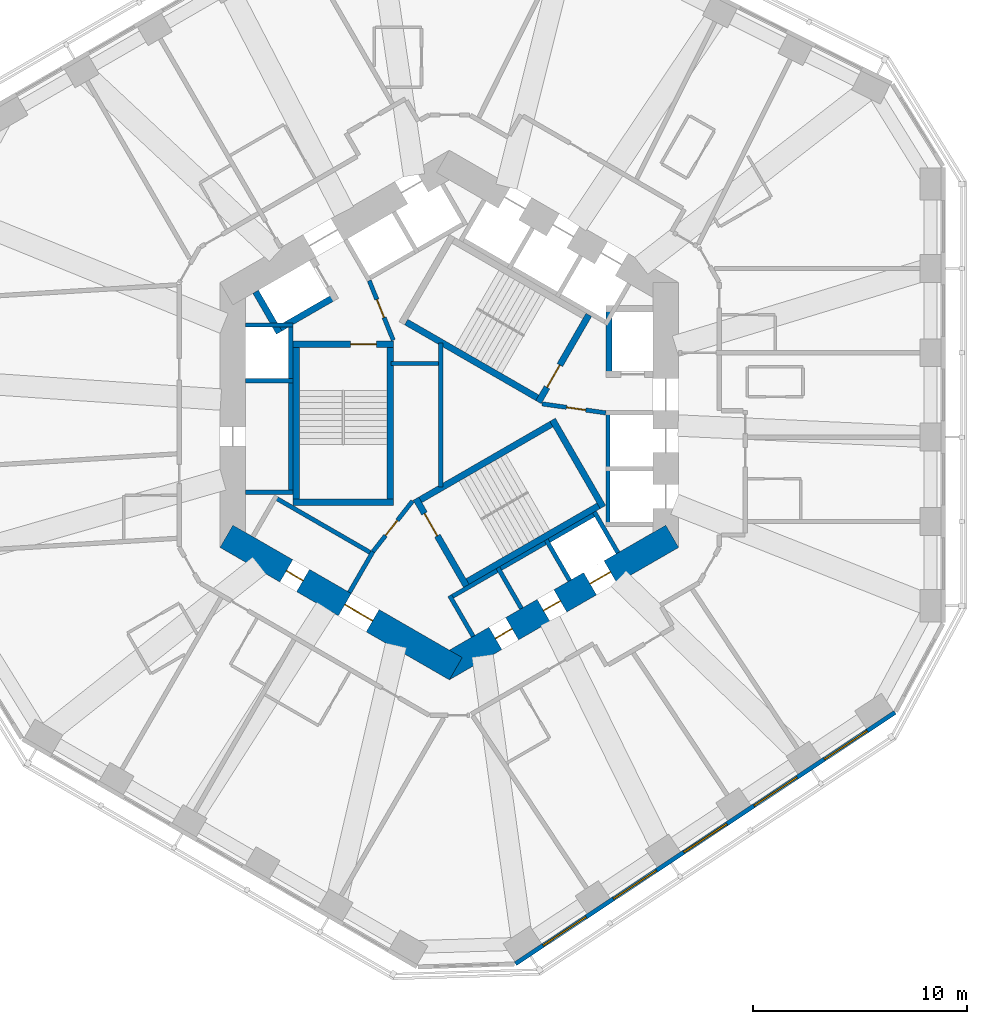
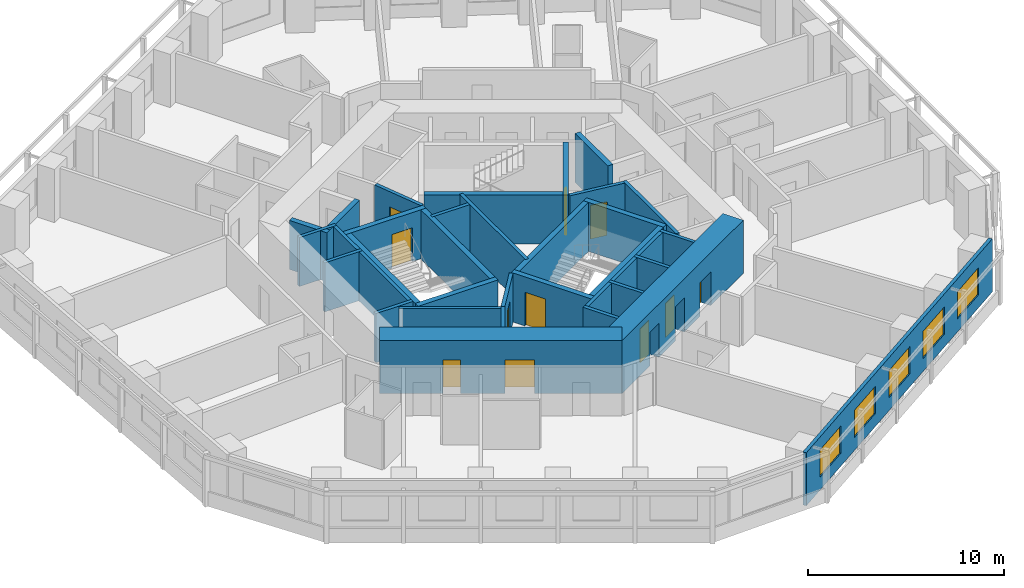
# One storey, part 5 of 12: 33 walls, 11 doors, 5 windows, 16 openings.
"""IFC4 building model written with IfcOpenShell, lengths in metres."""

import ifcopenshell
import ifcopenshell.guid

model = None  # the IFC model being written
_history = None  # IfcOwnerHistory: only IFC2X3 demands one
_inside = {}  # id of a spatial element -> (the spatial element, [elements in it])
_under = {}  # id of a project, library or spatial element -> (it, [spatial elements below it])
_declared = {}  # id of a project -> (the project, [libraries it declares])
_typed = {}  # id of a type object -> (the type object, [elements of that type])
_made_of = {}  # id of a material, layer set ... -> (it, [elements and type objects made of it])


def new_model(schema):
    """Start an empty IFC model of exactly this schema.

    Asked for "IFC4X3", IfcOpenShell would pick the latest addendum, in which some entities
    have other attributes; the version numbers below select the first issue.
    IFC2X3 requires an IfcOwnerHistory on every rooted entity: one is made here for all.
    """
    global model, _history
    if schema == "IFC4X3":
        model = ifcopenshell.file(schema_version=(4, 3, 0, 0))
    else:
        model = ifcopenshell.file(schema=schema)
    _inside.clear()
    _under.clear()
    _declared.clear()
    _typed.clear()
    _made_of.clear()
    _history = None
    if model.schema == "IFC2X3":
        org = make("IfcOrganization", Name="unknown")
        user = make(
            "IfcPersonAndOrganization",
            ThePerson=make("IfcPerson", FamilyName="unknown"),
            TheOrganization=org,
        )
        app = make(
            "IfcApplication",
            ApplicationDeveloper=org,
            Version="unknown",
            ApplicationFullName="unknown",
            ApplicationIdentifier="unknown",
        )
        _history = make(
            "IfcOwnerHistory",
            OwningUser=user,
            OwningApplication=app,
            ChangeAction="ADDED",
            CreationDate=0,
        )
    return model


def make(cls, **values):
    """One entity of the class cls with the attributes given. An attribute that is None is left unset."""
    return model.create_entity(
        cls, **{name: value for name, value in values.items() if value is not None}
    )


def rooted(cls, **values):
    """An entity with a GlobalId (a new one), such as an element, a storey or a relation."""
    return make(cls, GlobalId=ifcopenshell.guid.new(), OwnerHistory=_history, **values)


def si_unit(unit_type, name, prefix=None):
    """IfcSIUnit, for example si_unit("LENGTHUNIT", "METRE", prefix="MILLI")."""
    return make("IfcSIUnit", UnitType=unit_type, Prefix=prefix, Name=name)


def assignment(units):
    """IfcUnitAssignment: the units of a project."""
    return None if units is None else make("IfcUnitAssignment", Units=units)


def point(xyz):
    """IfcCartesianPoint."""
    return None if xyz is None else make("IfcCartesianPoint", Coordinates=xyz)


def direction(xyz):
    """IfcDirection."""
    return None if xyz is None else make("IfcDirection", DirectionRatios=xyz)


def frame(location, z_axis=None, x_axis=None):
    """IfcAxis2Placement3D, a coordinate frame: its origin and axes. An axis left out is left unset."""
    return make(
        "IfcAxis2Placement3D",
        Location=point(location),
        Axis=direction(z_axis),
        RefDirection=direction(x_axis),
    )


def frame_2d(location, x_axis=None):
    """IfcAxis2Placement2D, a coordinate frame in the plane: its origin and x axis."""
    return make(
        "IfcAxis2Placement2D", Location=point(location), RefDirection=direction(x_axis)
    )


def origin():
    """The frame at (0, 0, 0) with its axes left unset."""
    return frame((0.0, 0.0, 0.0))


def place(relative_to, where):
    """IfcLocalPlacement: puts the frame where relative to a parent placement (None: the world)."""
    return make(
        "IfcLocalPlacement", PlacementRelTo=relative_to, RelativePlacement=where
    )


def context(
    kind, dimensions, precision=None, world=None, true_north=None, identifier=None
):
    """IfcGeometricRepresentationContext, for example the 3D "Model" context."""
    return make(
        "IfcGeometricRepresentationContext",
        ContextIdentifier=identifier,
        ContextType=kind,
        CoordinateSpaceDimension=dimensions,
        Precision=precision,
        WorldCoordinateSystem=world,
        TrueNorth=true_north,
    )


def subcontext(parent, identifier, kind, view, scale=None):
    """IfcGeometricRepresentationSubContext, for example "Body" below "Model"."""
    return make(
        "IfcGeometricRepresentationSubContext",
        ContextIdentifier=identifier,
        ContextType=kind,
        ParentContext=parent,
        TargetScale=scale,
        TargetView=view,
    )


def project(units=None, contexts=None):
    """IfcProject with its units and contexts."""
    return rooted(
        "IfcProject",
        Name="project",
        RepresentationContexts=contexts,
        UnitsInContext=assignment(units),
    )


def spatial(cls, under=None, at=None, **own):
    """A site, building, storey or space (cls), placed at a placement, below another one or the project."""
    s = rooted(cls, ObjectPlacement=at, **own)
    if under is not None:
        _under.setdefault(under.id(), (under, []))[1].append(s)
    return s


def profile(cls, at=None, kind="AREA", **sizes):
    """A parametric profile (cls). Its sizes go by their IFC names, for example OverallWidth=200.0."""
    return make(cls, ProfileType=kind, Position=at, **sizes)


def rectangle(**sizes):
    """IfcRectangleProfileDef."""
    return profile("IfcRectangleProfileDef", **sizes)


def extrude(swept, where, along, depth):
    """IfcExtrudedAreaSolid: the profile swept, set in the frame where, extruded along a direction by depth."""
    return make(
        "IfcExtrudedAreaSolid",
        SweptArea=swept,
        Position=where,
        ExtrudedDirection=direction(along),
        Depth=depth,
    )


def shape(context_of_items, identifier, shape_type, items):
    """IfcShapeRepresentation: the items that make up one representation, for example the "Body"."""
    return make(
        "IfcShapeRepresentation",
        ContextOfItems=context_of_items,
        RepresentationIdentifier=identifier,
        RepresentationType=shape_type,
        Items=items,
    )


def material(Name=None, Category=None):
    """IfcMaterial."""
    return make("IfcMaterial", Name=Name, Category=Category)


def layer(
    of_material, thickness, ventilated=None, Name=None, Category=None, Priority=None
):
    """IfcMaterialLayer: one layer of a wall or slab, of a material (None: an air gap)."""
    return make(
        "IfcMaterialLayer",
        Material=of_material,
        LayerThickness=thickness,
        IsVentilated=ventilated,
        Name=Name,
        Category=Category,
        Priority=Priority,
    )


def layer_set(layers, Name=None):
    """IfcMaterialLayerSet."""
    return make("IfcMaterialLayerSet", MaterialLayers=layers, LayerSetName=Name)


def made_of(thing, what):
    """Note that an element or type object is made of a material, layer set ...; save() writes the relation."""
    if what is not None:
        _made_of.setdefault(what.id(), (what, []))[1].append(thing)
    return thing


def type_object(cls, material=None, **own):
    """A type object (cls), such as IfcWallType, which elements share."""
    return made_of(rooted(cls, **own), material)


def element(
    cls,
    number,
    at=None,
    inside=None,
    cuts=None,
    type_object=None,
    material=None,
    context=None,
    identifier="Body",
    shape_type=None,
    held_by="IfcProductDefinitionShape",
    body=None,
    shapes=None,
    **own,
):
    """One element of the class cls, such as IfcWall. Its Tag is "e" and its number.

    at: its placement. inside: the storey or other place that contains it. cuts: it is an
    opening in that element (IfcRelVoidsElement). A single representation is given by context,
    identifier, shape_type and body (its items); several are given by shapes. held_by: the class
    of the entity that holds the representations. save() writes the other relations.
    """
    e = rooted(cls, Tag="e%d" % number, ObjectPlacement=at, **own)
    if body is not None:
        shapes = [shape(context, identifier, shape_type, body)]
    if shapes is not None:
        e.Representation = make(held_by, Representations=shapes)
    if inside is not None:
        _inside.setdefault(inside.id(), (inside, []))[1].append(e)
    if cuts is not None:
        rooted(
            "IfcRelVoidsElement", RelatingBuildingElement=cuts, RelatedOpeningElement=e
        )
    if type_object is not None:
        _typed.setdefault(type_object.id(), (type_object, []))[1].append(e)
    return made_of(e, material)


def fill(opening, filler):
    """IfcRelFillsElement: the door or window that sits in an opening."""
    return rooted(
        "IfcRelFillsElement",
        RelatingOpeningElement=opening,
        RelatedBuildingElement=filler,
    )


def aggregate(whole, parts):
    """IfcRelAggregates: a whole, such as a stair, and the parts it consists of."""
    return rooted("IfcRelAggregates", RelatingObject=whole, RelatedObjects=parts)


def save(model, path):
    """Write the relations noted so far, then the file.

    IfcRelAggregates (storeys below a building ...), IfcRelContainedInSpatialStructure (elements
    in a storey), IfcRelDefinesByType, IfcRelAssociatesMaterial and IfcRelDeclares: one each for
    every whole, place, type object, material and project.
    """
    for whole, parts in _under.values():
        aggregate(whole, parts)
    for where, things in _inside.values():
        rooted(
            "IfcRelContainedInSpatialStructure",
            RelatedElements=things,
            RelatingStructure=where,
        )
    for kind, things in _typed.values():
        rooted("IfcRelDefinesByType", RelatedObjects=things, RelatingType=kind)
    for what, things in _made_of.values():
        rooted("IfcRelAssociatesMaterial", RelatedObjects=things, RelatingMaterial=what)
    for by, libraries in _declared.values():
        rooted("IfcRelDeclares", RelatingContext=by, RelatedDefinitions=libraries)
    model.write(path)


model = new_model("IFC4")

# Units and contexts
model_context = context("Model", 3, precision=1e-05, world=origin(), true_north=direction((0.0, 1.0)))
body_context = subcontext(model_context, "Body", "Model", "MODEL_VIEW")
ifc_project = project(units=[si_unit("LENGTHUNIT", "METRE"), si_unit("AREAUNIT", "SQUARE_METRE"), si_unit("VOLUMEUNIT", "CUBIC_METRE"), si_unit("PLANEANGLEUNIT", "RADIAN"), si_unit("MASSUNIT", "GRAM", prefix="KILO")], contexts=[model_context])

# Site, building, storey
site_placement = place(None, origin())
site = spatial("IfcSite", under=ifc_project, at=site_placement, CompositionType="ELEMENT")
building_placement = place(site_placement, origin())
building = spatial("IfcBuilding", under=site, at=building_placement, Name="Vanh Sen Convention Tower", CompositionType="ELEMENT")
storey_placement = place(building_placement, frame((0.0, 0.0, 47.300048828125)))
storey = spatial("IfcBuildingStorey", under=building, at=storey_placement, Name="L08", CompositionType="ELEMENT", Elevation=47.300048828125)

# Wall, openings, doors
ifc_material_1 = material(Name="Concrete C80/95", Category="concrete")
ifc_layer_1 = layer(ifc_material_1, 1.199951171875)
ifc_layer_set_1 = layer_set([ifc_layer_1], Name="Concrete C80/95")
wall_type_1 = type_object("IfcWallType", Name="Core outer wall 1200 C80/95", PredefinedType="SHEAR", material=ifc_layer_set_1)
wall_1_placement = place(storey_placement, frame((-10.39990234375, -5.657958984375, 0.0), z_axis=(0.0, 0.0, 1.0), x_axis=(0.866021384402, -0.500006961711, 0.0)))
wall_1 = element("IfcWall", 1, at=wall_1_placement, inside=storey, type_object=wall_type_1, Name="Core wall face SW L08", PredefinedType="SHEAR", context=body_context, shape_type="SweptSolid", body=[
    extrude(rectangle(XDim=12.355224609375, YDim=1.199951171875, at=frame_2d((6.177734375, 0.0))), origin(), (0.0, 0.0, 1.0), 3.300048828125),
])
opening_1_placement = place(wall_1_placement, frame((6.377685546875, 0.0, 0.0)))
opening_1 = element("IfcOpeningElement", 2, at=opening_1_placement, cuts=wall_1, Name="Opening D07003", PredefinedType="OPENING", context=body_context, shape_type="SweptSolid", body=[
    extrude(rectangle(XDim=1.5, YDim=2.10009765625, at=frame_2d((0.75, 1.050048828125))), frame((0.0, 0.60986328125, 0.0), z_axis=(0.0, -1.0, 0.0), x_axis=(1.0, 0.0, 0.0)), (0.0, 0.0, 1.0), 1.219970703125),
])
opening_2_placement = place(wall_1_placement, frame((3.227783203125, 0.0, 0.0)))
opening_2 = element("IfcOpeningElement", 3, at=opening_2_placement, cuts=wall_1, Name="Opening D07011", PredefinedType="OPENING", context=body_context, shape_type="SweptSolid", body=[
    extrude(rectangle(XDim=0.89990234375, YDim=2.10009765625, at=frame_2d((0.449951171875, 1.050048828125))), frame((0.0, 0.60986328125, 0.0), z_axis=(0.0, -1.0, 0.0), x_axis=(1.0, 0.0, 0.0)), (0.0, 0.0, 1.0), 1.219970703125),
])
ifc_material_2 = material(Name="Steel S355", Category="steel")
door_type_1 = type_object("IfcDoorType", Name="Plant door 900", OperationType="SINGLE_SWING_LEFT", PredefinedType="DOOR", material=ifc_material_2)
door_1_placement = place(opening_2_placement, origin())
door_1 = element("IfcDoor", 4, at=door_1_placement, inside=storey, type_object=door_type_1, Name="Plant door D07011", OperationType="SINGLE_SWING_LEFT", OverallHeight=2.10009765625, OverallWidth=0.89990234375, PredefinedType="DOOR", context=body_context, shape_type="SweptSolid", body=[
    extrude(rectangle(XDim=0.89990234375, YDim=2.10009765625, at=frame_2d((0.449951171875, 1.050048828125))), frame((0.0, 0.02490234375, 0.0), z_axis=(0.0, -1.0, 0.0), x_axis=(1.0, 0.0, 0.0)), (0.0, 0.0, 1.0), 0.050048828125),
])
fill(opening_2, door_1)
door_type_2 = type_object("IfcDoorType", Name="Stair lobby door 1500", OperationType="DOUBLE_DOOR_SINGLE_SWING", PredefinedType="DOOR", material=ifc_material_2)
door_2_placement = place(opening_1_placement, origin())
door_2 = element("IfcDoor", 5, at=door_2_placement, inside=storey, type_object=door_type_2, Name="Stair lobby door D07003", OperationType="DOUBLE_DOOR_SINGLE_SWING", OverallHeight=2.10009765625, OverallWidth=1.5, PredefinedType="DOOR", context=body_context, shape_type="SweptSolid", body=[
    extrude(rectangle(XDim=1.5, YDim=2.10009765625, at=frame_2d((0.75, 1.050048828125))), frame((0.0, 0.02490234375, 0.0), z_axis=(0.0, -1.0, 0.0), x_axis=(1.0, 0.0, 0.0)), (0.0, 0.0, 1.0), 0.050048828125),
])
fill(opening_1, door_2)

wall_2_placement = place(storey_placement, frame((-0.300048828125, -11.835693359375, 0.0), z_axis=(0.0, 0.0, 1.0), x_axis=(0.866021384402, 0.500006961711, 0.0)))
wall_2 = element("IfcWall", 6, at=wall_2_placement, inside=storey, type_object=wall_type_1, Name="Core wall face SE L08", PredefinedType="SHEAR", context=body_context, shape_type="SweptSolid", body=[
    extrude(rectangle(XDim=12.355224609375, YDim=1.199951171875, at=frame_2d((6.177734375, 0.0))), origin(), (0.0, 0.0, 1.0), 3.300048828125),
])
opening_3_placement = place(wall_2_placement, frame((2.82763671875, 0.0, 0.0)))
opening_3 = element("IfcOpeningElement", 7, at=opening_3_placement, cuts=wall_2, Name="Opening D07012", PredefinedType="OPENING", context=body_context, shape_type="SweptSolid", body=[
    extrude(rectangle(XDim=0.89990234375, YDim=2.10009765625, at=frame_2d((0.449951171875, 1.050048828125))), frame((0.0, 0.60986328125, 0.0), z_axis=(0.0, -1.0, 0.0), x_axis=(1.0, 0.0, 0.0)), (0.0, 0.0, 1.0), 1.219970703125),
])
opening_4_placement = place(wall_2_placement, frame((5.427734375, 0.0, 0.0)))
opening_4 = element("IfcOpeningElement", 8, at=opening_4_placement, cuts=wall_2, Name="Opening D07013", PredefinedType="OPENING", context=body_context, shape_type="SweptSolid", body=[
    extrude(rectangle(XDim=0.89990234375, YDim=2.10009765625, at=frame_2d((0.449951171875, 1.050048828125))), frame((0.0, 0.60986328125, 0.0), z_axis=(0.0, -1.0, 0.0), x_axis=(1.0, 0.0, 0.0)), (0.0, 0.0, 1.0), 1.219970703125),
])
opening_5_placement = place(wall_2_placement, frame((7.927734375, 0.0, 0.0)))
opening_5 = element("IfcOpeningElement", 9, at=opening_5_placement, cuts=wall_2, Name="Opening LD-SV1", PredefinedType="OPENING", context=body_context, shape_type="SweptSolid", body=[
    extrude(rectangle(XDim=1.10009765625, YDim=2.10009765625, at=frame_2d((0.550048828125, 1.050048828125))), frame((0.0, 0.60986328125, 0.0), z_axis=(0.0, -1.0, 0.0), x_axis=(1.0, 0.0, 0.0)), (0.0, 0.0, 1.0), 1.219970703125),
])
ifc_material_3 = material(Name="Stainless steel", Category="steel")
door_type_3 = type_object("IfcDoorType", Name="Lift landing door 1100", OperationType="DOUBLE_DOOR_SLIDING", PredefinedType="DOOR", material=ifc_material_3)
door_3_placement = place(opening_5_placement, origin())
door_3 = element("IfcDoor", 10, at=door_3_placement, inside=storey, type_object=door_type_3, Name="Lift SV1 landing door LD-SV1", OperationType="DOUBLE_DOOR_SLIDING", OverallHeight=2.10009765625, OverallWidth=1.10009765625, PredefinedType="DOOR", context=body_context, shape_type="SweptSolid", body=[
    extrude(rectangle(XDim=1.10009765625, YDim=2.10009765625, at=frame_2d((0.550048828125, 1.050048828125))), frame((0.0, 0.02490234375, 0.0), z_axis=(0.0, -1.0, 0.0), x_axis=(1.0, 0.0, 0.0)), (0.0, 0.0, 1.0), 0.050048828125),
])
fill(opening_5, door_3)
door_4_placement = place(opening_3_placement, origin())
door_4 = element("IfcDoor", 11, at=door_4_placement, inside=storey, type_object=door_type_1, Name="Plant door D07012", OperationType="SINGLE_SWING_LEFT", OverallHeight=2.10009765625, OverallWidth=0.89990234375, PredefinedType="DOOR", context=body_context, shape_type="SweptSolid", body=[
    extrude(rectangle(XDim=0.89990234375, YDim=2.10009765625, at=frame_2d((0.449951171875, 1.050048828125))), frame((0.0, 0.02490234375, 0.0), z_axis=(0.0, -1.0, 0.0), x_axis=(1.0, 0.0, 0.0)), (0.0, 0.0, 1.0), 0.050048828125),
])
fill(opening_3, door_4)
door_5_placement = place(opening_4_placement, origin())
door_5 = element("IfcDoor", 12, at=door_5_placement, inside=storey, type_object=door_type_1, Name="Plant door D07013", OperationType="SINGLE_SWING_LEFT", OverallHeight=2.10009765625, OverallWidth=0.89990234375, PredefinedType="DOOR", context=body_context, shape_type="SweptSolid", body=[
    extrude(rectangle(XDim=0.89990234375, YDim=2.10009765625, at=frame_2d((0.449951171875, 1.050048828125))), frame((0.0, 0.02490234375, 0.0), z_axis=(0.0, -1.0, 0.0), x_axis=(1.0, 0.0, 0.0)), (0.0, 0.0, 1.0), 0.050048828125),
])
fill(opening_4, door_5)

# Walls
ifc_material_4 = material(Name="Masonry blockwork", Category="masonry")
ifc_layer_2 = layer(ifc_material_4, 0.199951171875)
ifc_layer_set_2 = layer_set([ifc_layer_2], Name="Masonry blockwork")
wall_type_2 = type_object("IfcWallType", Name="Core partition 200", PredefinedType="PARTITIONING", material=ifc_layer_set_2)
wall_3_placement = place(storey_placement, frame((-2.719970703125, 2.39990234375, 0.0), z_axis=(0.0, 0.0, 1.0), x_axis=(1.0, 0.0, 0.0)))
element("IfcWall", 13, at=wall_3_placement, inside=storey, type_object=wall_type_2, Name="Core partition L08", PredefinedType="PARTITIONING", context=body_context, shape_type="SweptSolid", body=[
    extrude(rectangle(XDim=2.219970703125, YDim=0.199951171875, at=frame_2d((1.10986328125, 0.0))), origin(), (0.0, 0.0, 1.0), 3.050048828125),
])
wall_4_placement = place(storey_placement, frame((-0.39990234375, -3.353271484375, 0.0), z_axis=(0.0, 0.0, 1.0), x_axis=(0.0, 1.0, 0.0)))
element("IfcWall", 14, at=wall_4_placement, inside=storey, type_object=wall_type_2, Name="Core partition L08", PredefinedType="PARTITIONING", context=body_context, shape_type="SweptSolid", body=[
    extrude(rectangle(XDim=6.70654296875, YDim=0.199951171875, at=frame_2d((3.353271484375, 0.0))), origin(), (0.0, 0.0, 1.0), 3.050048828125),
])

# Wall, openings, windows
ifc_material_5 = material(Name="Insulated lightweight infill wall")
ifc_layer_3 = layer(ifc_material_5, 0.199951171875)
ifc_layer_set_3 = layer_set([ifc_layer_3], Name="Insulated lightweight infill wall")
wall_type_3 = type_object("IfcWallType", Name="External wall 200", PredefinedType="STANDARD", material=ifc_layer_set_3)
wall_5_placement = place(storey_placement, frame((3.0830078125, -25.60107421875, 0.0), z_axis=(0.0, 0.0, 1.0), x_axis=(0.833884295743, 0.551939291329, 0.0)))
wall_5 = element("IfcWall", 15, at=wall_5_placement, inside=storey, type_object=wall_type_3, Name="External wall SE L08", PredefinedType="STANDARD", context=body_context, shape_type="SweptSolid", body=[
    extrude(rectangle(XDim=21.24609375, YDim=0.199951171875, at=frame_2d((10.623046875, 0.0))), origin(), (0.0, 0.0, 1.0), 3.300048828125),
])
opening_6_placement = place(wall_5_placement, frame((1.552978515625, 0.0, 0.800048828125)))
opening_6 = element("IfcOpeningElement", 16, at=opening_6_placement, cuts=wall_5, Name="Opening WH1-SE1", PredefinedType="OPENING", context=body_context, shape_type="SweptSolid", body=[
    extrude(rectangle(XDim=2.39990234375, YDim=1.699951171875, at=frame_2d((1.199951171875, 0.85009765625))), frame((0.0, 0.10986328125, 0.0), z_axis=(0.0, -1.0, 0.0), x_axis=(1.0, 0.0, 0.0)), (0.0, 0.0, 1.0), 0.219970703125),
])
opening_7_placement = place(wall_5_placement, frame((5.487548828125, 0.0, 0.800048828125)))
opening_7 = element("IfcOpeningElement", 17, at=opening_7_placement, cuts=wall_5, Name="Opening WH1-SE2", PredefinedType="OPENING", context=body_context, shape_type="SweptSolid", body=[
    extrude(rectangle(XDim=2.39990234375, YDim=1.699951171875, at=frame_2d((1.199951171875, 0.85009765625))), frame((0.0, 0.10986328125, 0.0), z_axis=(0.0, -1.0, 0.0), x_axis=(1.0, 0.0, 0.0)), (0.0, 0.0, 1.0), 0.219970703125),
])
opening_8_placement = place(wall_5_placement, frame((9.422119140625, 0.0, 0.800048828125)))
opening_8 = element("IfcOpeningElement", 18, at=opening_8_placement, cuts=wall_5, Name="Opening WH1-SE3", PredefinedType="OPENING", context=body_context, shape_type="SweptSolid", body=[
    extrude(rectangle(XDim=2.39990234375, YDim=1.699951171875, at=frame_2d((1.199951171875, 0.85009765625))), frame((0.0, 0.10986328125, 0.0), z_axis=(0.0, -1.0, 0.0), x_axis=(1.0, 0.0, 0.0)), (0.0, 0.0, 1.0), 0.219970703125),
])
opening_9_placement = place(wall_5_placement, frame((13.356689453125, 0.0, 0.800048828125)))
opening_9 = element("IfcOpeningElement", 19, at=opening_9_placement, cuts=wall_5, Name="Opening WH1-SE4", PredefinedType="OPENING", context=body_context, shape_type="SweptSolid", body=[
    extrude(rectangle(XDim=2.39990234375, YDim=1.699951171875, at=frame_2d((1.199951171875, 0.85009765625))), frame((0.0, 0.10986328125, 0.0), z_axis=(0.0, -1.0, 0.0), x_axis=(1.0, 0.0, 0.0)), (0.0, 0.0, 1.0), 0.219970703125),
])
opening_10_placement = place(wall_5_placement, frame((17.291259765625, 0.0, 0.800048828125)))
opening_10 = element("IfcOpeningElement", 20, at=opening_10_placement, cuts=wall_5, Name="Opening WH1-SE5", PredefinedType="OPENING", context=body_context, shape_type="SweptSolid", body=[
    extrude(rectangle(XDim=2.39990234375, YDim=1.699951171875, at=frame_2d((1.199951171875, 0.85009765625))), frame((0.0, 0.10986328125, 0.0), z_axis=(0.0, -1.0, 0.0), x_axis=(1.0, 0.0, 0.0)), (0.0, 0.0, 1.0), 0.219970703125),
])
ifc_material_6 = material(Name="Aluminium frame with clear low-emissivity glass", Category="aluminium")
window_type = type_object("IfcWindowType", Name="Hotel window 2400 x 1700", PartitioningType="SINGLE_PANEL", PredefinedType="WINDOW", material=ifc_material_6)
window_1_placement = place(opening_6_placement, origin())
window_1 = element("IfcWindow", 21, at=window_1_placement, inside=storey, type_object=window_type, Name="Window WH1-SE1", OverallHeight=1.699951171875, OverallWidth=2.39990234375, PartitioningType="SINGLE_PANEL", PredefinedType="WINDOW", context=body_context, shape_type="SweptSolid", body=[
    extrude(rectangle(XDim=2.39990234375, YDim=1.699951171875, at=frame_2d((1.199951171875, 0.85009765625))), frame((0.0, 0.030029296875, 0.0), z_axis=(0.0, -1.0, 0.0), x_axis=(1.0, 0.0, 0.0)), (0.0, 0.0, 1.0), 0.06005859375),
])
fill(opening_6, window_1)
window_2_placement = place(opening_7_placement, origin())
window_2 = element("IfcWindow", 22, at=window_2_placement, inside=storey, type_object=window_type, Name="Window WH1-SE2", OverallHeight=1.699951171875, OverallWidth=2.39990234375, PartitioningType="SINGLE_PANEL", PredefinedType="WINDOW", context=body_context, shape_type="SweptSolid", body=[
    extrude(rectangle(XDim=2.39990234375, YDim=1.699951171875, at=frame_2d((1.199951171875, 0.85009765625))), frame((0.0, 0.030029296875, 0.0), z_axis=(0.0, -1.0, 0.0), x_axis=(1.0, 0.0, 0.0)), (0.0, 0.0, 1.0), 0.06005859375),
])
fill(opening_7, window_2)
window_3_placement = place(opening_8_placement, origin())
window_3 = element("IfcWindow", 23, at=window_3_placement, inside=storey, type_object=window_type, Name="Window WH1-SE3", OverallHeight=1.699951171875, OverallWidth=2.39990234375, PartitioningType="SINGLE_PANEL", PredefinedType="WINDOW", context=body_context, shape_type="SweptSolid", body=[
    extrude(rectangle(XDim=2.39990234375, YDim=1.699951171875, at=frame_2d((1.199951171875, 0.85009765625))), frame((0.0, 0.030029296875, 0.0), z_axis=(0.0, -1.0, 0.0), x_axis=(1.0, 0.0, 0.0)), (0.0, 0.0, 1.0), 0.06005859375),
])
fill(opening_8, window_3)
window_4_placement = place(opening_9_placement, origin())
window_4 = element("IfcWindow", 24, at=window_4_placement, inside=storey, type_object=window_type, Name="Window WH1-SE4", OverallHeight=1.699951171875, OverallWidth=2.39990234375, PartitioningType="SINGLE_PANEL", PredefinedType="WINDOW", context=body_context, shape_type="SweptSolid", body=[
    extrude(rectangle(XDim=2.39990234375, YDim=1.699951171875, at=frame_2d((1.199951171875, 0.85009765625))), frame((0.0, 0.030029296875, 0.0), z_axis=(0.0, -1.0, 0.0), x_axis=(1.0, 0.0, 0.0)), (0.0, 0.0, 1.0), 0.06005859375),
])
fill(opening_9, window_4)
window_5_placement = place(opening_10_placement, origin())
window_5 = element("IfcWindow", 25, at=window_5_placement, inside=storey, type_object=window_type, Name="Window WH1-SE5", OverallHeight=1.699951171875, OverallWidth=2.39990234375, PartitioningType="SINGLE_PANEL", PredefinedType="WINDOW", context=body_context, shape_type="SweptSolid", body=[
    extrude(rectangle(XDim=2.39990234375, YDim=1.699951171875, at=frame_2d((1.199951171875, 0.85009765625))), frame((0.0, 0.030029296875, 0.0), z_axis=(0.0, -1.0, 0.0), x_axis=(1.0, 0.0, 0.0)), (0.0, 0.0, 1.0), 0.06005859375),
])
fill(opening_10, window_5)

# Walls
ifc_material_7 = material(Name="Concrete C60/75", Category="concrete")
ifc_layer_4 = layer(ifc_material_7, 0.300048828125)
ifc_layer_set_4 = layer_set([ifc_layer_4], Name="Concrete C60/75")
wall_type_4 = type_object("IfcWallType", Name="Fire-fighting lift shaft wall 300", PredefinedType="SHEAR", material=ifc_layer_set_4)
wall_6_placement = place(storey_placement, frame((7.449951171875, 1.75, 0.0), z_axis=(0.0, 0.0, 1.0), x_axis=(0.0, 1.0, 0.0)))
element("IfcWall", 26, at=wall_6_placement, inside=storey, type_object=wall_type_4, Name="Fire-fighting lift shaft wall L08", PredefinedType="SHEAR", context=body_context, shape_type="SweptSolid", body=[
    extrude(rectangle(XDim=3.35009765625, YDim=0.300048828125, at=frame_2d((1.675048828125, 0.0))), origin(), (0.0, 0.0, 1.0), 3.050048828125),
])
wall_7_placement = place(storey_placement, frame((-5.240478515625, 5.576904296875, 0.0), z_axis=(0.0, 0.0, 1.0), x_axis=(-0.866014461049, -0.500018952895, 0.0)))
element("IfcWall", 27, at=wall_7_placement, inside=storey, type_object=wall_type_4, Name="Fire-fighting lift shaft wall L08", PredefinedType="SHEAR", context=body_context, shape_type="SweptSolid", body=[
    extrude(rectangle(XDim=3.349853515625, YDim=0.300048828125, at=frame_2d((1.6748046875, 0.0))), origin(), (0.0, 0.0, 1.0), 3.050048828125),
])
wall_8_placement = place(storey_placement, frame((-7.936767578125, 3.846923828125, 0.0), z_axis=(0.0, 0.0, 1.0), x_axis=(-0.50002983664, 0.866008176907, 0.0)))
element("IfcWall", 28, at=wall_8_placement, inside=storey, type_object=wall_type_4, Name="Fire-fighting lift shaft wall L08", PredefinedType="SHEAR", context=body_context, shape_type="SweptSolid", body=[
    extrude(rectangle(XDim=2.199951171875, YDim=0.300048828125, at=frame_2d((1.10009765625, 0.0))), origin(), (0.0, 0.0, 1.0), 3.050048828125),
])
ifc_material_8 = material(Name="Concrete C40/50", Category="concrete")
ifc_layer_5 = layer(ifc_material_8, 0.199951171875)
ifc_layer_set_5 = layer_set([ifc_layer_5], Name="Concrete C40/50")
wall_type_5 = type_object("IfcWallType", Name="Lift shaft wall 200", PredefinedType="PARTITIONING", material=ifc_layer_set_5)
wall_9_placement = place(storey_placement, frame((7.39990234375, -5.199951171875, 0.0), z_axis=(0.0, 0.0, 1.0), x_axis=(0.0, 1.0, 0.0)))
element("IfcWall", 29, at=wall_9_placement, inside=storey, type_object=wall_type_5, Name="Lift shaft wall L08", PredefinedType="PARTITIONING", context=body_context, shape_type="SweptSolid", body=[
    extrude(rectangle(XDim=5.39990234375, YDim=0.199951171875, at=frame_2d((2.699951171875, 0.0))), origin(), (0.0, 0.0, 1.0), 3.050048828125),
])
wall_10_placement = place(storey_placement, frame((-7.39990234375, 4.300048828125, 0.0), z_axis=(0.0, 0.0, 1.0), x_axis=(0.0, -1.0, 0.0)))
element("IfcWall", 30, at=wall_10_placement, inside=storey, type_object=wall_type_5, Name="Lift shaft wall L08", PredefinedType="PARTITIONING", context=body_context, shape_type="SweptSolid", body=[
    extrude(rectangle(XDim=8.0, YDim=0.199951171875, at=frame_2d((4.0, 0.0))), origin(), (0.0, 0.0, 1.0), 3.050048828125),
])
for number, where, z_axis, x_axis, name in (
    (31, (-7.300048828125, 4.199951171875, 0.0), (0.0, 0.0, 1.0), (-1.0, 0.0, 0.0), "Lift shaft wall L08"),
    (32, (-7.300048828125, 1.60009765625, 0.0), (0.0, 0.0, 1.0), (-1.0, 0.0, 0.0), "Lift shaft wall L08"),
    (33, (-7.300048828125, -3.60009765625, 0.0), (0.0, 0.0, 1.0), (-1.0, 0.0, 0.0), "Lift shaft wall L08"),
):
    element("IfcWall", number, at=place(storey_placement, frame(where, z_axis=z_axis, x_axis=x_axis)), inside=storey, type_object=wall_type_5, Name=name, PredefinedType="PARTITIONING", context=body_context, shape_type="SweptSolid", body=[
        extrude(rectangle(XDim=2.199951171875, YDim=0.199951171875, at=frame_2d((1.10009765625, 0.0))), origin(), (0.0, 0.0, 1.0), 3.050048828125),
    ])
wall_11_placement = place(storey_placement, frame((-8.203369140625, -3.80859375, 0.0), z_axis=(0.0, 0.0, 1.0), x_axis=(0.866028230842, -0.499995103361, 0.0)))
element("IfcWall", 34, at=wall_11_placement, inside=storey, type_object=wall_type_5, Name="Lift shaft wall L08", PredefinedType="PARTITIONING", context=body_context, shape_type="SweptSolid", body=[
    extrude(rectangle(XDim=5.39990234375, YDim=0.199951171875, at=frame_2d((2.699951171875, 0.0))), origin(), (0.0, 0.0, 1.0), 3.050048828125),
])
wall_12_placement = place(storey_placement, frame((-3.5634765625, -6.3720703125, 0.0), z_axis=(0.0, 0.0, 1.0), x_axis=(-0.499994660107, -0.866028486751, 0.0)))
element("IfcWall", 35, at=wall_12_placement, inside=storey, type_object=wall_type_5, Name="Lift shaft wall L08", PredefinedType="PARTITIONING", context=body_context, shape_type="SweptSolid", body=[
    extrude(rectangle(XDim=2.19970703125, YDim=0.199951171875, at=frame_2d((1.099853515625, 0.0))), origin(), (0.0, 0.0, 1.0), 3.050048828125),
])
wall_13_placement = place(storey_placement, frame((-0.02392578125, -8.55859375, 0.0), z_axis=(0.0, 0.0, 1.0), x_axis=(0.866026010844, 0.49999894854, 0.0)))
element("IfcWall", 36, at=wall_13_placement, inside=storey, type_object=wall_type_5, Name="Lift shaft wall L08", PredefinedType="PARTITIONING", context=body_context, shape_type="SweptSolid", body=[
    extrude(rectangle(XDim=8.0, YDim=0.199951171875, at=frame_2d((4.0, 0.0))), origin(), (0.0, 0.0, 1.0), 3.050048828125),
])
for number, where, z_axis, x_axis, name in (
    (37, (0.0126953125, -8.422119140625, 0.0), (0.0, 0.0, 1.0), (0.500077893725, -0.86598042715, 0.0), "Lift shaft wall L08"),
    (38, (2.264404296875, -7.1220703125, 0.0), (0.0, 0.0, 1.0), (0.500077893725, -0.86598042715, 0.0), "Lift shaft wall L08"),
    (39, (4.51611328125, -5.822021484375, 0.0), (0.0, 0.0, 1.0), (0.499946605688, -0.86605622881, 0.0), "Lift shaft wall L08"),
    (40, (6.767578125, -4.52197265625, 0.0), (0.0, 0.0, 1.0), (0.50002983664, -0.866008176907, 0.0), "Lift shaft wall L08"),
):
    element("IfcWall", number, at=place(storey_placement, frame(where, z_axis=z_axis, x_axis=x_axis)), inside=storey, type_object=wall_type_5, Name=name, PredefinedType="PARTITIONING", context=body_context, shape_type="SweptSolid", body=[
        extrude(rectangle(XDim=2.199951171875, YDim=0.199951171875, at=frame_2d((1.10009765625, 0.0))), origin(), (0.0, 0.0, 1.0), 3.050048828125),
    ])

# Wall, opening, door
ifc_layer_6 = layer(ifc_material_8, 0.199951171875)
ifc_layer_set_6 = layer_set([ifc_layer_6], Name="Concrete C40/50")
wall_type_6 = type_object("IfcWallType", Name="Stair lobby wall 200", PredefinedType="PARTITIONING", material=ifc_layer_set_6)
wall_14_placement = place(storey_placement, frame((4.327392578125, 0.52099609375, 0.0), z_axis=(0.0, 0.0, 1.0), x_axis=(0.990124376366, -0.14019172346, 0.0)))
wall_14 = element("IfcWall", 41, at=wall_14_placement, inside=storey, type_object=wall_type_6, Name="Stair lobby wall L08", PredefinedType="PARTITIONING", context=body_context, shape_type="SweptSolid", body=[
    extrude(rectangle(XDim=3.002197265625, YDim=0.199951171875, at=frame_2d((1.5009765625, 0.0))), origin(), (0.0, 0.0, 1.0), 3.050048828125),
])
opening_11_placement = place(wall_14_placement, frame((1.14990234375, 0.0, 0.0)))
opening_11 = element("IfcOpeningElement", 42, at=opening_11_placement, cuts=wall_14, Name="Opening D07007", PredefinedType="OPENING", context=body_context, shape_type="SweptSolid", body=[
    extrude(rectangle(XDim=0.89990234375, YDim=2.10009765625, at=frame_2d((0.449951171875, 1.050048828125))), frame((0.0, 0.10986328125, 0.0), z_axis=(0.0, -1.0, 0.0), x_axis=(1.0, 0.0, 0.0)), (0.0, 0.0, 1.0), 0.219970703125),
])
door_6_placement = place(opening_11_placement, origin())
door_6 = element("IfcDoor", 43, at=door_6_placement, inside=storey, type_object=door_type_1, Name="Plant door D07007", OperationType="SINGLE_SWING_LEFT", OverallHeight=2.10009765625, OverallWidth=0.89990234375, PredefinedType="DOOR", context=body_context, shape_type="SweptSolid", body=[
    extrude(rectangle(XDim=0.89990234375, YDim=2.10009765625, at=frame_2d((0.449951171875, 1.050048828125))), frame((0.0, 0.02490234375, 0.0), z_axis=(0.0, -1.0, 0.0), x_axis=(1.0, 0.0, 0.0)), (0.0, 0.0, 1.0), 0.050048828125),
])
fill(opening_11, door_6)

wall_15_placement = place(storey_placement, frame((-2.614990234375, 3.487060546875, 0.0), z_axis=(0.0, 0.0, 1.0), x_axis=(-0.373576831041, 0.92759924068, 0.0)))
wall_15 = element("IfcWall", 44, at=wall_15_placement, inside=storey, type_object=wall_type_6, Name="Stair lobby wall L08", PredefinedType="PARTITIONING", context=body_context, shape_type="SweptSolid", body=[
    extrude(rectangle(XDim=3.002197265625, YDim=0.199951171875, at=frame_2d((1.5009765625, 0.0))), origin(), (0.0, 0.0, 1.0), 3.050048828125),
])
opening_12_placement = place(wall_15_placement, frame((1.14990234375, 0.0, 0.0)))
opening_12 = element("IfcOpeningElement", 45, at=opening_12_placement, cuts=wall_15, Name="Opening D07008", PredefinedType="OPENING", context=body_context, shape_type="SweptSolid", body=[
    extrude(rectangle(XDim=0.89990234375, YDim=2.10009765625, at=frame_2d((0.449951171875, 1.050048828125))), frame((0.0, 0.10986328125, 0.0), z_axis=(0.0, -1.0, 0.0), x_axis=(1.0, 0.0, 0.0)), (0.0, 0.0, 1.0), 0.219970703125),
])
door_7_placement = place(opening_12_placement, origin())
door_7 = element("IfcDoor", 46, at=door_7_placement, inside=storey, type_object=door_type_1, Name="Plant door D07008", OperationType="SINGLE_SWING_LEFT", OverallHeight=2.10009765625, OverallWidth=0.89990234375, PredefinedType="DOOR", context=body_context, shape_type="SweptSolid", body=[
    extrude(rectangle(XDim=0.89990234375, YDim=2.10009765625, at=frame_2d((0.449951171875, 1.050048828125))), frame((0.0, 0.02490234375, 0.0), z_axis=(0.0, -1.0, 0.0), x_axis=(1.0, 0.0, 0.0)), (0.0, 0.0, 1.0), 0.050048828125),
])
fill(opening_12, door_7)

wall_16_placement = place(storey_placement, frame((-1.71240234375, -4.00830078125, 0.0), z_axis=(0.0, 0.0, 1.0), x_axis=(-0.616549420702, -0.787316208287, 0.0)))
wall_16 = element("IfcWall", 47, at=wall_16_placement, inside=storey, type_object=wall_type_6, Name="Stair lobby wall L08", PredefinedType="PARTITIONING", context=body_context, shape_type="SweptSolid", body=[
    extrude(rectangle(XDim=3.002197265625, YDim=0.199951171875, at=frame_2d((1.5009765625, 0.0))), origin(), (0.0, 0.0, 1.0), 3.050048828125),
])
opening_13_placement = place(wall_16_placement, frame((1.14990234375, 0.0, 0.0)))
opening_13 = element("IfcOpeningElement", 48, at=opening_13_placement, cuts=wall_16, Name="Opening D07009", PredefinedType="OPENING", context=body_context, shape_type="SweptSolid", body=[
    extrude(rectangle(XDim=0.89990234375, YDim=2.10009765625, at=frame_2d((0.449951171875, 1.050048828125))), frame((0.0, 0.10986328125, 0.0), z_axis=(0.0, -1.0, 0.0), x_axis=(1.0, 0.0, 0.0)), (0.0, 0.0, 1.0), 0.219970703125),
])
door_8_placement = place(opening_13_placement, origin())
door_8 = element("IfcDoor", 49, at=door_8_placement, inside=storey, type_object=door_type_1, Name="Plant door D07009", OperationType="SINGLE_SWING_LEFT", OverallHeight=2.10009765625, OverallWidth=0.89990234375, PredefinedType="DOOR", context=body_context, shape_type="SweptSolid", body=[
    extrude(rectangle(XDim=0.89990234375, YDim=2.10009765625, at=frame_2d((0.449951171875, 1.050048828125))), frame((0.0, 0.02490234375, 0.0), z_axis=(0.0, -1.0, 0.0), x_axis=(1.0, 0.0, 0.0)), (0.0, 0.0, 1.0), 0.050048828125),
])
fill(opening_13, door_8)

ifc_layer_7 = layer(ifc_material_7, 0.300048828125)
ifc_layer_set_7 = layer_set([ifc_layer_7], Name="Concrete C60/75")
wall_type_7 = type_object("IfcWallType", Name="Stair wall 300", PredefinedType="SHEAR", material=ifc_layer_set_7)
wall_17_placement = place(storey_placement, frame((4.157958984375, 0.601806640625, 0.0), z_axis=(0.0, 0.0, 1.0), x_axis=(0.499977259774, 0.866038532462, 0.0)))
wall_17 = element("IfcWall", 50, at=wall_17_placement, inside=storey, type_object=wall_type_7, Name="Stair wall L08", PredefinedType="SHEAR", context=body_context, shape_type="SweptSolid", body=[
    extrude(rectangle(XDim=4.699951171875, YDim=0.300048828125, at=frame_2d((2.35009765625, 0.0))), origin(), (0.0, 0.0, 1.0), 3.050048828125),
])
opening_14_placement = place(wall_17_placement, frame((0.800048828125, 0.0, 0.0)))
opening_14 = element("IfcOpeningElement", 51, at=opening_14_placement, cuts=wall_17, Name="Opening D07004", PredefinedType="OPENING", context=body_context, shape_type="SweptSolid", body=[
    extrude(rectangle(XDim=1.199951171875, YDim=2.10009765625, at=frame_2d((0.60009765625, 1.050048828125))), frame((0.0, 0.159912109375, 0.0), z_axis=(0.0, -1.0, 0.0), x_axis=(1.0, 0.0, 0.0)), (0.0, 0.0, 1.0), 0.320068359375),
])
door_type_4 = type_object("IfcDoorType", Name="Stair door 1200", OperationType="SINGLE_SWING_RIGHT", PredefinedType="DOOR", material=ifc_material_2)
door_9_placement = place(opening_14_placement, origin())
door_9 = element("IfcDoor", 52, at=door_9_placement, inside=storey, type_object=door_type_4, Name="Stair ST1 door D07004", OperationType="SINGLE_SWING_RIGHT", OverallHeight=2.10009765625, OverallWidth=1.199951171875, PredefinedType="DOOR", context=body_context, shape_type="SweptSolid", body=[
    extrude(rectangle(XDim=1.199951171875, YDim=2.10009765625, at=frame_2d((0.60009765625, 1.050048828125))), frame((0.0, 0.02490234375, 0.0), z_axis=(0.0, -1.0, 0.0), x_axis=(1.0, 0.0, 0.0)), (0.0, 0.0, 1.0), 0.050048828125),
])
fill(opening_14, door_9)

# Wall
wall_18_placement = place(storey_placement, frame((4.10302734375, 0.806640625, 0.0), z_axis=(0.0, 0.0, 1.0), x_axis=(-0.866027801685, 0.499995846692, 0.0)))
element("IfcWall", 53, at=wall_18_placement, inside=storey, type_object=wall_type_7, Name="Stair wall L08", PredefinedType="SHEAR", context=body_context, shape_type="SweptSolid", body=[
    extrude(rectangle(XDim=7.06005859375, YDim=0.300048828125, at=frame_2d((3.530029296875, 0.0))), origin(), (0.0, 0.0, 1.0), 3.050048828125),
])

# Wall, opening, door
wall_19_placement = place(storey_placement, frame((-2.60009765625, 3.300048828125, 0.0), z_axis=(0.0, 0.0, 1.0), x_axis=(-1.0, 0.0, 0.0)))
wall_19 = element("IfcWall", 54, at=wall_19_placement, inside=storey, type_object=wall_type_7, Name="Stair wall L08", PredefinedType="SHEAR", context=body_context, shape_type="SweptSolid", body=[
    extrude(rectangle(XDim=4.699951171875, YDim=0.300048828125, at=frame_2d((2.35009765625, 0.0))), origin(), (0.0, 0.0, 1.0), 3.050048828125),
])
opening_15_placement = place(wall_19_placement, frame((0.800048828125, 0.0, 0.0)))
opening_15 = element("IfcOpeningElement", 55, at=opening_15_placement, cuts=wall_19, Name="Opening D07005", PredefinedType="OPENING", context=body_context, shape_type="SweptSolid", body=[
    extrude(rectangle(XDim=1.199951171875, YDim=2.10009765625, at=frame_2d((0.60009765625, 1.050048828125))), frame((0.0, 0.159912109375, 0.0), z_axis=(0.0, -1.0, 0.0), x_axis=(1.0, 0.0, 0.0)), (0.0, 0.0, 1.0), 0.320068359375),
])
door_10_placement = place(opening_15_placement, origin())
door_10 = element("IfcDoor", 56, at=door_10_placement, inside=storey, type_object=door_type_4, Name="Stair ST2 door D07005", OperationType="SINGLE_SWING_RIGHT", OverallHeight=2.10009765625, OverallWidth=1.199951171875, PredefinedType="DOOR", context=body_context, shape_type="SweptSolid", body=[
    extrude(rectangle(XDim=1.199951171875, YDim=2.10009765625, at=frame_2d((0.60009765625, 1.050048828125))), frame((0.0, 0.02490234375, 0.0), z_axis=(0.0, -1.0, 0.0), x_axis=(1.0, 0.0, 0.0)), (0.0, 0.0, 1.0), 0.050048828125),
])
fill(opening_15, door_10)

# Walls
wall_20_placement = place(storey_placement, frame((-2.60009765625, -4.06005859375, 0.0), z_axis=(0.0, 0.0, 1.0), x_axis=(-1.0, 0.0, 0.0)))
element("IfcWall", 57, at=wall_20_placement, inside=storey, type_object=wall_type_7, Name="Stair wall L08", PredefinedType="SHEAR", context=body_context, shape_type="SweptSolid", body=[
    extrude(rectangle(XDim=4.699951171875, YDim=0.300048828125, at=frame_2d((2.35009765625, 0.0))), origin(), (0.0, 0.0, 1.0), 3.050048828125),
])
for number, where, z_axis, x_axis, name in (
    (58, (-2.75, 3.14990234375, 0.0), (0.0, 0.0, 1.0), (0.0, -1.0, 0.0), "Stair wall L08"),
    (59, (-7.14990234375, 3.14990234375, 0.0), (0.0, 0.0, 1.0), (0.0, -1.0, 0.0), "Stair wall L08"),
):
    element("IfcWall", number, at=place(storey_placement, frame(where, z_axis=z_axis, x_axis=x_axis)), inside=storey, type_object=wall_type_7, Name=name, PredefinedType="SHEAR", context=body_context, shape_type="SweptSolid", body=[
        extrude(rectangle(XDim=7.059814453125, YDim=0.300048828125, at=frame_2d((3.52978515625, 0.0))), origin(), (0.0, 0.0, 1.0), 3.050048828125),
    ])

# Wall, opening, door
wall_21_placement = place(storey_placement, frame((-1.557861328125, -3.901611328125, 0.0), z_axis=(0.0, 0.0, 1.0), x_axis=(0.499977259774, -0.866038532462, 0.0)))
wall_21 = element("IfcWall", 60, at=wall_21_placement, inside=storey, type_object=wall_type_7, Name="Stair wall L08", PredefinedType="SHEAR", context=body_context, shape_type="SweptSolid", body=[
    extrude(rectangle(XDim=4.699951171875, YDim=0.300048828125, at=frame_2d((2.35009765625, 0.0))), origin(), (0.0, 0.0, 1.0), 3.050048828125),
])
opening_16_placement = place(wall_21_placement, frame((0.800048828125, 0.0, 0.0)))
opening_16 = element("IfcOpeningElement", 61, at=opening_16_placement, cuts=wall_21, Name="Opening D07006", PredefinedType="OPENING", context=body_context, shape_type="SweptSolid", body=[
    extrude(rectangle(XDim=1.199951171875, YDim=2.10009765625, at=frame_2d((0.60009765625, 1.050048828125))), frame((0.0, 0.159912109375, 0.0), z_axis=(0.0, -1.0, 0.0), x_axis=(1.0, 0.0, 0.0)), (0.0, 0.0, 1.0), 0.320068359375),
])
door_11_placement = place(opening_16_placement, origin())
door_11 = element("IfcDoor", 62, at=door_11_placement, inside=storey, type_object=door_type_4, Name="Stair ST3 door D07006", OperationType="SINGLE_SWING_RIGHT", OverallHeight=2.10009765625, OverallWidth=1.199951171875, PredefinedType="DOOR", context=body_context, shape_type="SweptSolid", body=[
    extrude(rectangle(XDim=1.199951171875, YDim=2.10009765625, at=frame_2d((0.60009765625, 1.050048828125))), frame((0.0, 0.02490234375, 0.0), z_axis=(0.0, -1.0, 0.0), x_axis=(1.0, 0.0, 0.0)), (0.0, 0.0, 1.0), 0.050048828125),
])
fill(opening_16, door_11)

# Walls
wall_22_placement = place(storey_placement, frame((4.816162109375, -0.2216796875, 0.0), z_axis=(0.0, 0.0, 1.0), x_axis=(0.499977259774, -0.866038532462, 0.0)))
element("IfcWall", 63, at=wall_22_placement, inside=storey, type_object=wall_type_7, Name="Stair wall L08", PredefinedType="SHEAR", context=body_context, shape_type="SweptSolid", body=[
    extrude(rectangle(XDim=4.699951171875, YDim=0.300048828125, at=frame_2d((2.35009765625, 0.0))), origin(), (0.0, 0.0, 1.0), 3.050048828125),
])
for number, where, z_axis, x_axis, name in (
    (64, (-1.35302734375, -3.95654296875, 0.0), (0.0, 0.0, 1.0), (0.866027801685, 0.499995846692, 0.0), "Stair wall L08"),
    (65, (0.846923828125, -7.76708984375, 0.0), (0.0, 0.0, 1.0), (0.866027801685, 0.499995846692, 0.0), "Stair wall L08"),
):
    element("IfcWall", number, at=place(storey_placement, frame(where, z_axis=z_axis, x_axis=x_axis)), inside=storey, type_object=wall_type_7, Name=name, PredefinedType="SHEAR", context=body_context, shape_type="SweptSolid", body=[
        extrude(rectangle(XDim=7.06005859375, YDim=0.300048828125, at=frame_2d((3.530029296875, 0.0))), origin(), (0.0, 0.0, 1.0), 3.050048828125),
    ])

save(model, "model.ifc")
